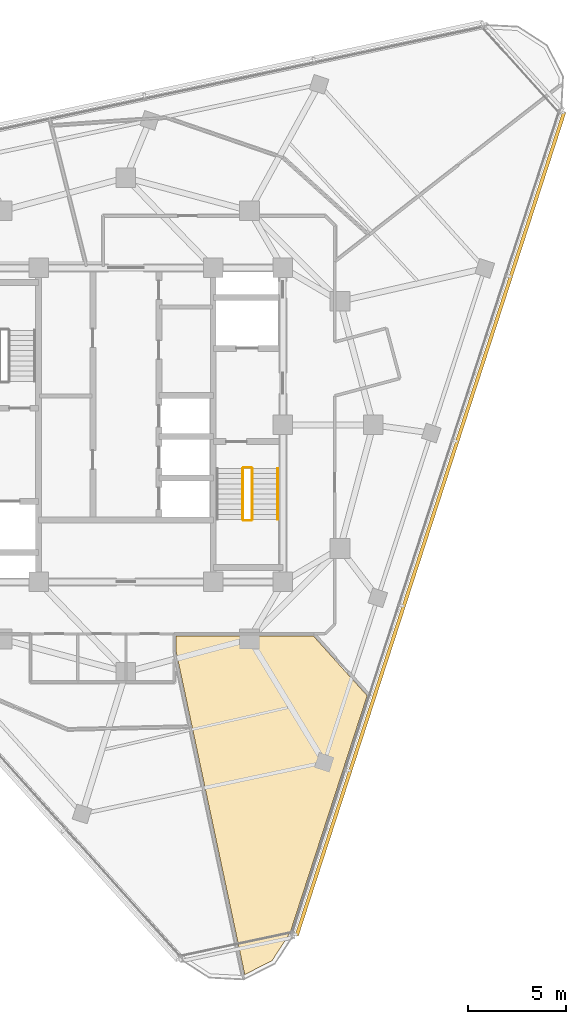
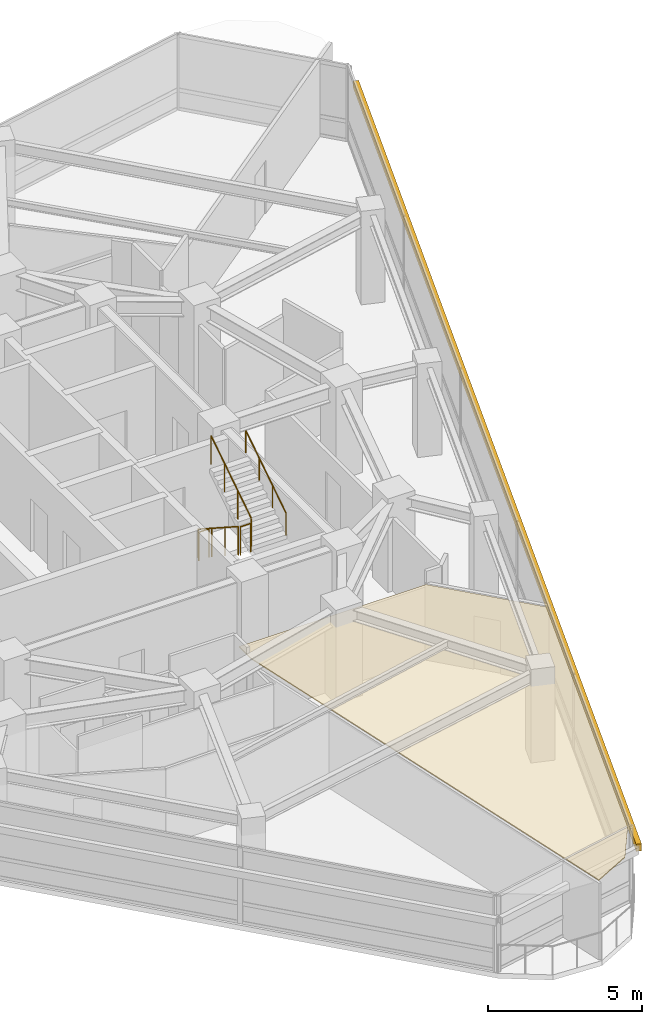
# One storey, part 13 of 15: 5 railings, 1 covering, 1 shading device.
"""IFC4 building model written with IfcOpenShell, lengths in metres."""

import ifcopenshell
import ifcopenshell.guid

model = None  # the IFC model being written
_history = None  # IfcOwnerHistory: only IFC2X3 demands one
_inside = {}  # id of a spatial element -> (the spatial element, [elements in it])
_under = {}  # id of a project, library or spatial element -> (it, [spatial elements below it])
_declared = {}  # id of a project -> (the project, [libraries it declares])
_typed = {}  # id of a type object -> (the type object, [elements of that type])
_made_of = {}  # id of a material, layer set ... -> (it, [elements and type objects made of it])


def new_model(schema):
    """Start an empty IFC model of exactly this schema.

    Asked for "IFC4X3", IfcOpenShell would pick the latest addendum, in which some entities
    have other attributes; the version numbers below select the first issue.
    IFC2X3 requires an IfcOwnerHistory on every rooted entity: one is made here for all.
    """
    global model, _history
    if schema == "IFC4X3":
        model = ifcopenshell.file(schema_version=(4, 3, 0, 0))
    else:
        model = ifcopenshell.file(schema=schema)
    _inside.clear()
    _under.clear()
    _declared.clear()
    _typed.clear()
    _made_of.clear()
    _history = None
    if model.schema == "IFC2X3":
        org = make("IfcOrganization", Name="unknown")
        user = make(
            "IfcPersonAndOrganization",
            ThePerson=make("IfcPerson", FamilyName="unknown"),
            TheOrganization=org,
        )
        app = make(
            "IfcApplication",
            ApplicationDeveloper=org,
            Version="unknown",
            ApplicationFullName="unknown",
            ApplicationIdentifier="unknown",
        )
        _history = make(
            "IfcOwnerHistory",
            OwningUser=user,
            OwningApplication=app,
            ChangeAction="ADDED",
            CreationDate=0,
        )
    return model


def make(cls, **values):
    """One entity of the class cls with the attributes given. An attribute that is None is left unset."""
    return model.create_entity(
        cls, **{name: value for name, value in values.items() if value is not None}
    )


def rooted(cls, **values):
    """An entity with a GlobalId (a new one), such as an element, a storey or a relation."""
    return make(cls, GlobalId=ifcopenshell.guid.new(), OwnerHistory=_history, **values)


def si_unit(unit_type, name, prefix=None):
    """IfcSIUnit, for example si_unit("LENGTHUNIT", "METRE", prefix="MILLI")."""
    return make("IfcSIUnit", UnitType=unit_type, Prefix=prefix, Name=name)


def assignment(units):
    """IfcUnitAssignment: the units of a project."""
    return None if units is None else make("IfcUnitAssignment", Units=units)


def point(xyz):
    """IfcCartesianPoint."""
    return None if xyz is None else make("IfcCartesianPoint", Coordinates=xyz)


def direction(xyz):
    """IfcDirection."""
    return None if xyz is None else make("IfcDirection", DirectionRatios=xyz)


def frame(location, z_axis=None, x_axis=None):
    """IfcAxis2Placement3D, a coordinate frame: its origin and axes. An axis left out is left unset."""
    return make(
        "IfcAxis2Placement3D",
        Location=point(location),
        Axis=direction(z_axis),
        RefDirection=direction(x_axis),
    )


def frame_2d(location, x_axis=None):
    """IfcAxis2Placement2D, a coordinate frame in the plane: its origin and x axis."""
    return make(
        "IfcAxis2Placement2D", Location=point(location), RefDirection=direction(x_axis)
    )


def origin():
    """The frame at (0, 0, 0) with its axes left unset."""
    return frame((0.0, 0.0, 0.0))


def origin_2d():
    """The frame at (0, 0) in the plane with its x axis left unset."""
    return frame_2d((0.0, 0.0))


def place(relative_to, where):
    """IfcLocalPlacement: puts the frame where relative to a parent placement (None: the world)."""
    return make(
        "IfcLocalPlacement", PlacementRelTo=relative_to, RelativePlacement=where
    )


def context(
    kind, dimensions, precision=None, world=None, true_north=None, identifier=None
):
    """IfcGeometricRepresentationContext, for example the 3D "Model" context."""
    return make(
        "IfcGeometricRepresentationContext",
        ContextIdentifier=identifier,
        ContextType=kind,
        CoordinateSpaceDimension=dimensions,
        Precision=precision,
        WorldCoordinateSystem=world,
        TrueNorth=true_north,
    )


def subcontext(parent, identifier, kind, view, scale=None):
    """IfcGeometricRepresentationSubContext, for example "Body" below "Model"."""
    return make(
        "IfcGeometricRepresentationSubContext",
        ContextIdentifier=identifier,
        ContextType=kind,
        ParentContext=parent,
        TargetScale=scale,
        TargetView=view,
    )


def project(units=None, contexts=None):
    """IfcProject with its units and contexts."""
    return rooted(
        "IfcProject",
        Name="project",
        RepresentationContexts=contexts,
        UnitsInContext=assignment(units),
    )


def spatial(cls, under=None, at=None, **own):
    """A site, building, storey or space (cls), placed at a placement, below another one or the project."""
    s = rooted(cls, ObjectPlacement=at, **own)
    if under is not None:
        _under.setdefault(under.id(), (under, []))[1].append(s)
    return s


def polyline(points):
    """IfcPolyline through the points."""
    return make("IfcPolyline", Points=[point(p) for p in points])


def profile(cls, at=None, kind="AREA", **sizes):
    """A parametric profile (cls). Its sizes go by their IFC names, for example OverallWidth=200.0."""
    return make(cls, ProfileType=kind, Position=at, **sizes)


def rectangle(**sizes):
    """IfcRectangleProfileDef."""
    return profile("IfcRectangleProfileDef", **sizes)


def circle(**sizes):
    """IfcCircleProfileDef."""
    return profile("IfcCircleProfileDef", **sizes)


def outline(outer, holes=None, kind="AREA"):
    """IfcArbitraryClosedProfileDef: a profile drawn as a closed curve; with holes, ...WithVoids."""
    if holes is None:
        return make("IfcArbitraryClosedProfileDef", ProfileType=kind, OuterCurve=outer)
    return make(
        "IfcArbitraryProfileDefWithVoids",
        ProfileType=kind,
        OuterCurve=outer,
        InnerCurves=holes,
    )


def extrude(swept, where, along, depth):
    """IfcExtrudedAreaSolid: the profile swept, set in the frame where, extruded along a direction by depth."""
    return make(
        "IfcExtrudedAreaSolid",
        SweptArea=swept,
        Position=where,
        ExtrudedDirection=direction(along),
        Depth=depth,
    )


def shape(context_of_items, identifier, shape_type, items):
    """IfcShapeRepresentation: the items that make up one representation, for example the "Body"."""
    return make(
        "IfcShapeRepresentation",
        ContextOfItems=context_of_items,
        RepresentationIdentifier=identifier,
        RepresentationType=shape_type,
        Items=items,
    )


def material(Name=None, Category=None):
    """IfcMaterial."""
    return make("IfcMaterial", Name=Name, Category=Category)


def layer(
    of_material, thickness, ventilated=None, Name=None, Category=None, Priority=None
):
    """IfcMaterialLayer: one layer of a wall or slab, of a material (None: an air gap)."""
    return make(
        "IfcMaterialLayer",
        Material=of_material,
        LayerThickness=thickness,
        IsVentilated=ventilated,
        Name=Name,
        Category=Category,
        Priority=Priority,
    )


def layer_set(layers, Name=None):
    """IfcMaterialLayerSet."""
    return make("IfcMaterialLayerSet", MaterialLayers=layers, LayerSetName=Name)


def made_of(thing, what):
    """Note that an element or type object is made of a material, layer set ...; save() writes the relation."""
    if what is not None:
        _made_of.setdefault(what.id(), (what, []))[1].append(thing)
    return thing


def type_object(cls, material=None, **own):
    """A type object (cls), such as IfcWallType, which elements share."""
    return made_of(rooted(cls, **own), material)


def element(
    cls,
    number,
    at=None,
    inside=None,
    cuts=None,
    type_object=None,
    material=None,
    context=None,
    identifier="Body",
    shape_type=None,
    held_by="IfcProductDefinitionShape",
    body=None,
    shapes=None,
    **own,
):
    """One element of the class cls, such as IfcWall. Its Tag is "e" and its number.

    at: its placement. inside: the storey or other place that contains it. cuts: it is an
    opening in that element (IfcRelVoidsElement). A single representation is given by context,
    identifier, shape_type and body (its items); several are given by shapes. held_by: the class
    of the entity that holds the representations. save() writes the other relations.
    """
    e = rooted(cls, Tag="e%d" % number, ObjectPlacement=at, **own)
    if body is not None:
        shapes = [shape(context, identifier, shape_type, body)]
    if shapes is not None:
        e.Representation = make(held_by, Representations=shapes)
    if inside is not None:
        _inside.setdefault(inside.id(), (inside, []))[1].append(e)
    if cuts is not None:
        rooted(
            "IfcRelVoidsElement", RelatingBuildingElement=cuts, RelatedOpeningElement=e
        )
    if type_object is not None:
        _typed.setdefault(type_object.id(), (type_object, []))[1].append(e)
    return made_of(e, material)


def aggregate(whole, parts):
    """IfcRelAggregates: a whole, such as a stair, and the parts it consists of."""
    return rooted("IfcRelAggregates", RelatingObject=whole, RelatedObjects=parts)


def save(model, path):
    """Write the relations noted so far, then the file.

    IfcRelAggregates (storeys below a building ...), IfcRelContainedInSpatialStructure (elements
    in a storey), IfcRelDefinesByType, IfcRelAssociatesMaterial and IfcRelDeclares: one each for
    every whole, place, type object, material and project.
    """
    for whole, parts in _under.values():
        aggregate(whole, parts)
    for where, things in _inside.values():
        rooted(
            "IfcRelContainedInSpatialStructure",
            RelatedElements=things,
            RelatingStructure=where,
        )
    for kind, things in _typed.values():
        rooted("IfcRelDefinesByType", RelatedObjects=things, RelatingType=kind)
    for what, things in _made_of.values():
        rooted("IfcRelAssociatesMaterial", RelatedObjects=things, RelatingMaterial=what)
    for by, libraries in _declared.values():
        rooted("IfcRelDeclares", RelatingContext=by, RelatedDefinitions=libraries)
    model.write(path)


model = new_model("IFC4")

# Units and contexts
model_context = context("Model", 3, precision=1e-05, world=origin(), true_north=direction((0.0, 1.0)))
body_context = subcontext(model_context, "Body", "Model", "MODEL_VIEW")
ifc_project = project(units=[si_unit("LENGTHUNIT", "METRE"), si_unit("AREAUNIT", "SQUARE_METRE"), si_unit("VOLUMEUNIT", "CUBIC_METRE"), si_unit("PLANEANGLEUNIT", "RADIAN"), si_unit("MASSUNIT", "GRAM", prefix="KILO")], contexts=[model_context])

# Site, building, storey
site_placement = place(None, origin())
site = spatial("IfcSite", under=ifc_project, at=site_placement, CompositionType="ELEMENT")
building_placement = place(site_placement, origin())
building = spatial("IfcBuilding", under=site, at=building_placement, Name="Terralouvre Media Tower", CompositionType="ELEMENT")
storey_placement = place(building_placement, frame((0.0, 0.0, 286.89990234375)))
storey = spatial("IfcBuildingStorey", under=building, at=storey_placement, Name="L74", CompositionType="ELEMENT", Elevation=286.89990234375)

# Covering
ifc_material_1 = material(Name="Perforated aluminium acoustic ceiling baffle", Category="aluminium")
ifc_layer_1 = layer(ifc_material_1, 0.0400390625, Name="Perforated Acoustic Metal Tile Ceiling CL-AC1")
ifc_layer_set_1 = layer_set([ifc_layer_1], Name="Perforated aluminium acoustic ceiling baffle")
covering_type = type_object("IfcCoveringType", Name="Perforated Acoustic Metal Tile Ceiling CL-AC1", PredefinedType="CEILING", material=ifc_layer_set_1)
covering_placement = place(storey_placement, frame((0.0, 0.0, 2.97998046875), z_axis=(0.0, 0.0, 1.0), x_axis=(0.309016994375, 0.951056516295, 0.0)))
element("IfcCovering", 1, at=covering_placement, inside=storey, type_object=covering_type, Name="L74 Voice Coaching Interview Room 5 Acoustic Ceiling", PredefinedType="CEILING", context=body_context, shape_type="SweptSolid", body=[
    extrude(outline(polyline([(-9.435791015625, -5.7470703125), (-10.163818359375, -5.983642578125), (-13.560791015625, -7.945068359375), (-24.7685546875, -14.4150390625), (-23.666015625, -15.518310546875), (-22.03125, -15.9560546875), (-9.32763671875, -15.956298828125), (-7.2744140625, -12.399169921875), (-9.435791015625, -5.7470703125)])), origin(), (0.0, 0.0, 1.0), 0.0400390625),
])

# Railings
ifc_material_2 = material(Name="Stainless steel 316 handrail and balustrade", Category="steel")
ifc_layer_2 = layer(ifc_material_2, 0.050048828125, Name="Stair Flight Wall Handrail HR-INT1")
ifc_layer_set_2 = layer_set([ifc_layer_2], Name="Stainless steel 316 handrail and balustrade")
railing_type_1 = type_object("IfcRailingType", Name="Stair Flight Wall Handrail HR-INT1", PredefinedType="HANDRAIL", material=ifc_layer_set_2)
railing_1_placement = place(storey_placement, frame((7.72998046875, -4.820068359375, 2.018310546875)))
element("IfcRailing", 2, at=railing_1_placement, inside=storey, type_object=railing_type_1, Name="L74 ST-02 stair handrail 2", PredefinedType="HANDRAIL", context=body_context, shape_type="SweptSolid", body=[
    extrude(circle(Radius=0.02392578125, at=origin_2d()), frame((0.0, 0.0, 0.8759765625), z_axis=(0.0, 0.839648411786, 0.543130320075), x_axis=(-1.0, 0.0, 0.0)), (0.0, 0.0, 1.0), 3.0966796875),
    extrude(circle(Radius=0.02099609375, at=origin_2d()), origin(), (0.0, 0.0, 1.0), 0.851806640625),
    extrude(circle(Radius=0.02099609375, at=origin_2d()), frame((0.0, 0.86669921875, 0.560546875)), (0.0, 0.0, 1.0), 0.851806640625),
    extrude(circle(Radius=0.02099609375, at=origin_2d()), frame((0.0, 1.7333984375, 1.121337890625)), (0.0, 0.0, 1.0), 0.851806640625),
    extrude(circle(Radius=0.02099609375, at=origin_2d()), frame((0.0, 2.60009765625, 1.681884765625)), (0.0, 0.0, 1.0), 0.851806640625),
])
ifc_material_3 = material(Name="Stainless steel 316 handrail and balustrade", Category="steel")
ifc_layer_3 = layer(ifc_material_3, 0.050048828125, Name="Stairwell Safety Guardrail GR-INT1")
ifc_layer_set_3 = layer_set([ifc_layer_3], Name="Stainless steel 316 handrail and balustrade")
railing_type_2 = type_object("IfcRailingType", Name="Stairwell Safety Guardrail GR-INT1", PredefinedType="GUARDRAIL", material=ifc_layer_set_3)
railing_2_placement = place(storey_placement, frame((5.949951171875, -2.219970703125, 0.168212890625)))
element("IfcRailing", 3, at=railing_2_placement, inside=storey, type_object=railing_type_2, Name="L74 ST-02 stair guard 1", PredefinedType="GUARDRAIL", context=body_context, shape_type="SweptSolid", body=[
    extrude(circle(Radius=0.02392578125, at=origin_2d()), frame((0.0, 0.0, 1.1259765625), z_axis=(0.0, -0.839648411786, 0.543130320075), x_axis=(1.0, 0.0, 0.0)), (0.0, 0.0, 1.0), 3.0966796875),
    extrude(circle(Radius=0.02099609375, at=origin_2d()), origin(), (0.0, 0.0, 1.0), 1.101806640625),
    extrude(circle(Radius=0.02099609375, at=origin_2d()), frame((0.0, -0.86669921875, 0.560546875)), (0.0, 0.0, 1.0), 1.101806640625),
    extrude(circle(Radius=0.02099609375, at=origin_2d()), frame((0.0, -1.7333984375, 1.121337890625)), (0.0, 0.0, 1.0), 1.101806640625),
    extrude(circle(Radius=0.02099609375, at=origin_2d()), frame((0.0, -2.60009765625, 1.681884765625)), (0.0, 0.0, 1.0), 1.101806640625),
])
railing_3_placement = place(storey_placement, frame((6.0, -4.8701171875, 1.85009765625)))
element("IfcRailing", 4, at=railing_3_placement, inside=storey, type_object=railing_type_2, Name="L74 ST-02 stair guard 2", PredefinedType="GUARDRAIL", context=body_context, shape_type="SweptSolid", body=[
    extrude(circle(Radius=0.02392578125, at=origin_2d()), frame((0.0, 0.0, 1.1259765625), z_axis=(1.0, 0.0, 0.0), x_axis=(0.0, 1.0, 0.0)), (0.0, 0.0, 1.0), 0.3798828125),
    extrude(circle(Radius=0.02099609375, at=origin_2d()), origin(), (0.0, 0.0, 1.0), 1.101806640625),
    extrude(circle(Radius=0.02099609375, at=origin_2d()), frame((0.3798828125, 0.0, 0.0)), (0.0, 0.0, 1.0), 1.101806640625),
])
railing_4_placement = place(storey_placement, frame((6.429931640625, -4.820068359375, 2.018310546875)))
element("IfcRailing", 5, at=railing_4_placement, inside=storey, type_object=railing_type_2, Name="L74 ST-02 stair guard 3", PredefinedType="GUARDRAIL", context=body_context, shape_type="SweptSolid", body=[
    extrude(circle(Radius=0.02392578125, at=origin_2d()), frame((0.0, 0.0, 1.1259765625), z_axis=(0.0, 0.839648411786, 0.543130320075), x_axis=(-1.0, 0.0, 0.0)), (0.0, 0.0, 1.0), 3.0966796875),
    extrude(circle(Radius=0.02099609375, at=origin_2d()), origin(), (0.0, 0.0, 1.0), 1.101806640625),
    extrude(circle(Radius=0.02099609375, at=origin_2d()), frame((0.0, 0.86669921875, 0.560546875)), (0.0, 0.0, 1.0), 1.101806640625),
    extrude(circle(Radius=0.02099609375, at=origin_2d()), frame((0.0, 1.7333984375, 1.121337890625)), (0.0, 0.0, 1.0), 1.101806640625),
    extrude(circle(Radius=0.02099609375, at=origin_2d()), frame((0.0, 2.60009765625, 1.681884765625)), (0.0, 0.0, 1.0), 1.101806640625),
])
railing_5_placement = place(storey_placement, frame((6.0, -2.169921875, 0.0)))
element("IfcRailing", 6, at=railing_5_placement, inside=storey, type_object=railing_type_2, Name="L74 ST-02 stair guard 4", PredefinedType="GUARDRAIL", context=body_context, shape_type="SweptSolid", body=[
    extrude(circle(Radius=0.02392578125, at=origin_2d()), frame((0.0, 0.0, 1.1259765625), z_axis=(1.0, 0.0, 0.0), x_axis=(0.0, 1.0, 0.0)), (0.0, 0.0, 1.0), 0.3798828125),
    extrude(circle(Radius=0.02099609375, at=origin_2d()), origin(), (0.0, 0.0, 1.0), 1.101806640625),
    extrude(circle(Radius=0.02099609375, at=origin_2d()), frame((0.3798828125, 0.0, 0.0)), (0.0, 0.0, 1.0), 1.101806640625),
])

# Shading device
ifc_material_4 = material(Name="Extruded terracotta baguette sunshade louvres", Category="masonry")
shading_device_type = type_object("IfcShadingDeviceType", Name="Terracotta Baguette Sunshade Louvre Screen TB-LV1", PredefinedType="USERDEFINED", material=ifc_material_4)
shading_device_placement = place(storey_placement, frame((15.517822265625, -5.0419921875, 2.02392578125), z_axis=(0.0, 0.0, 1.0), x_axis=(0.309017021946, 0.951056507337, 0.0)))
element("IfcShadingDevice", 7, at=shading_device_placement, inside=storey, type_object=shading_device_type, Name="CW-L74-F0 Terracotta Baguette Sunshade Louvre", ObjectType="BAGUETTE", PredefinedType="USERDEFINED", context=body_context, shape_type="SweptSolid", body=[
    extrude(rectangle(XDim=44.1201171875, YDim=0.179931640625, at=origin_2d()), origin(), (0.0, 0.0, 1.0), 0.280029296875),
])

save(model, "model.ifc")
